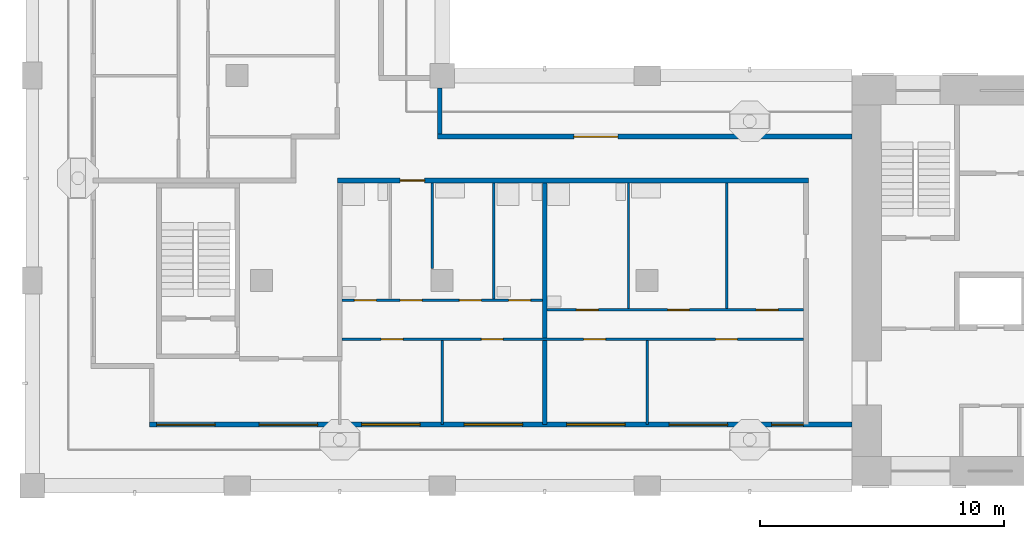
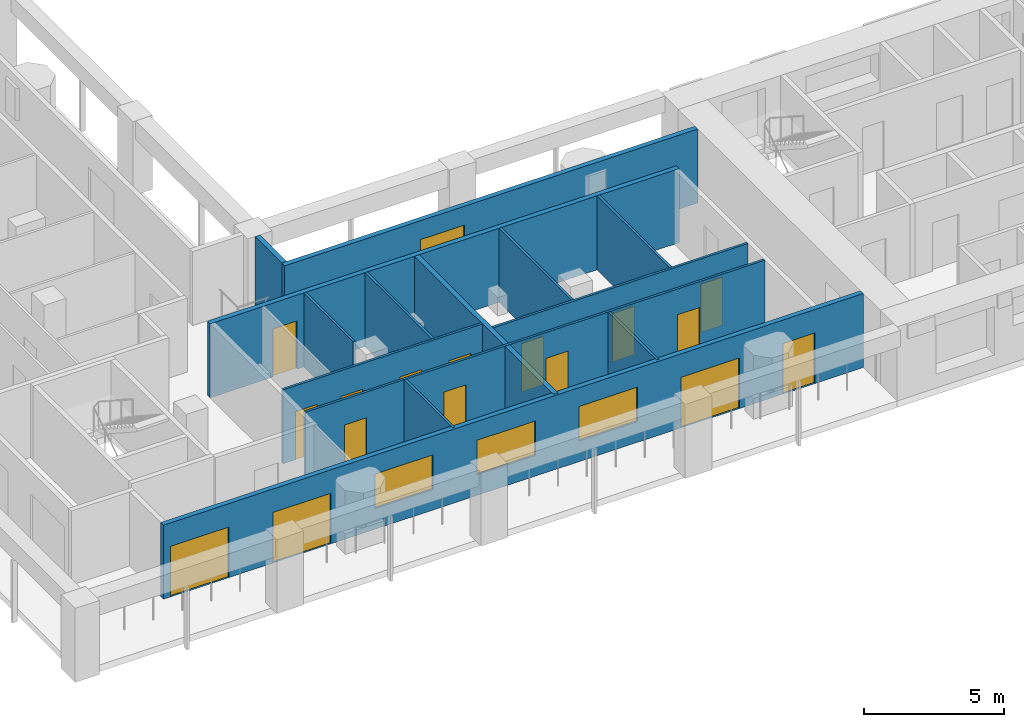
# One storey, part 2 of 12: 17 doors, 14 walls, 3 windows, 20 openings.
"""IFC4 building model written with IfcOpenShell, lengths in metres."""

from ifc_helpers import new_model, si_unit, direction, frame, frame_2d, origin, place, context, subcontext, project, spatial, rectangle, extrude, material, layer, layer_set, type_object, element, fill, save


model = new_model("IFC4")

# Units and contexts
model_context = context("Model", 3, precision=1e-05, world=origin(), true_north=direction((0.0, 1.0)))
body_context = subcontext(model_context, "Body", "Model", "MODEL_VIEW")
ifc_project = project(units=[si_unit("LENGTHUNIT", "METRE"), si_unit("AREAUNIT", "SQUARE_METRE"), si_unit("VOLUMEUNIT", "CUBIC_METRE"), si_unit("PLANEANGLEUNIT", "RADIAN"), si_unit("MASSUNIT", "GRAM", prefix="KILO")], contexts=[model_context])

# Site, building, storey
site_placement = place(None, origin())
site = spatial("IfcSite", under=ifc_project, at=site_placement, CompositionType="ELEMENT")
building_placement = place(site_placement, origin())
building = spatial("IfcBuilding", under=site, at=building_placement, Name="Vermilion Gate Residences", CompositionType="ELEMENT")
storey_placement = place(building_placement, frame((0.0, 0.0, 235.199951171875)))
storey = spatial("IfcBuildingStorey", under=building, at=storey_placement, Name="L61", CompositionType="ELEMENT", Elevation=235.199951171875)

# Wall, openings, doors, windows
ifc_material_1 = material(Name="Insulated steel stud wall with terracotta rainscreen", Category="masonry")
ifc_layer_1 = layer(ifc_material_1, 0.199951171875)
ifc_layer_set_1 = layer_set([ifc_layer_1], Name="EXTERNAL WALL 200 TERRACOTTA RAINSCREEN")
wall_type_1 = type_object("IfcWallType", Name="EXTERNAL WALL 200 TERRACOTTA RAINSCREEN", PredefinedType="SOLIDWALL", material=ifc_layer_set_1)
wall_1_placement = place(storey_placement, frame((13.199951171875, 10.89990234375, 0.0), z_axis=(0.0, 0.0, 1.0), x_axis=(1.0, 0.0, 0.0)))
wall_1 = element("IfcWall", 1, at=wall_1_placement, inside=storey, type_object=wall_type_1, Name="External wall", PredefinedType="SOLIDWALL", context=body_context, shape_type="SweptSolid", body=[
    extrude(rectangle(XDim=28.800048828125, YDim=0.199951171875, at=frame_2d((14.39990234375, 0.0))), origin(), (0.0, 0.0, 1.0), 3.219970703125),
])
opening_1_placement = place(wall_1_placement, frame((0.300048828125, 0.0, 0.0)))
opening_1 = element("IfcOpeningElement", 2, at=opening_1_placement, cuts=wall_1, Name="Opening DE61008", PredefinedType="OPENING", context=body_context, shape_type="SweptSolid", body=[
    extrude(rectangle(XDim=2.39990234375, YDim=2.199951171875, at=frame_2d((1.199951171875, 1.10009765625))), frame((0.0, 0.10986328125, 0.0), z_axis=(0.0, -1.0, 0.0), x_axis=(1.0, 0.0, 0.0)), (0.0, 0.0, 1.0), 0.219970703125),
])
opening_2_placement = place(wall_1_placement, frame((4.5, 0.0, 0.0)))
opening_2 = element("IfcOpeningElement", 3, at=opening_2_placement, cuts=wall_1, Name="Opening DE61009", PredefinedType="OPENING", context=body_context, shape_type="SweptSolid", body=[
    extrude(rectangle(XDim=2.39990234375, YDim=2.199951171875, at=frame_2d((1.199951171875, 1.10009765625))), frame((0.0, 0.10986328125, 0.0), z_axis=(0.0, -1.0, 0.0), x_axis=(1.0, 0.0, 0.0)), (0.0, 0.0, 1.0), 0.219970703125),
])
opening_3_placement = place(wall_1_placement, frame((8.699951171875, 0.0, 0.89990234375)))
opening_3 = element("IfcOpeningElement", 4, at=opening_3_placement, cuts=wall_1, Name="Opening WE61010", PredefinedType="OPENING", context=body_context, shape_type="SweptSolid", body=[
    extrude(rectangle(XDim=2.39990234375, YDim=1.5, at=frame_2d((1.199951171875, 0.75))), frame((0.0, 0.10986328125, 0.0), z_axis=(0.0, -1.0, 0.0), x_axis=(1.0, 0.0, 0.0)), (0.0, 0.0, 1.0), 0.219970703125),
])
opening_4_placement = place(wall_1_placement, frame((12.89990234375, 0.0, 0.89990234375)))
opening_4 = element("IfcOpeningElement", 5, at=opening_4_placement, cuts=wall_1, Name="Opening WE61011", PredefinedType="OPENING", context=body_context, shape_type="SweptSolid", body=[
    extrude(rectangle(XDim=2.39990234375, YDim=1.5, at=frame_2d((1.199951171875, 0.75))), frame((0.0, 0.10986328125, 0.0), z_axis=(0.0, -1.0, 0.0), x_axis=(1.0, 0.0, 0.0)), (0.0, 0.0, 1.0), 0.219970703125),
])
opening_5_placement = place(wall_1_placement, frame((17.10009765625, 0.0, 0.89990234375)))
opening_5 = element("IfcOpeningElement", 6, at=opening_5_placement, cuts=wall_1, Name="Opening WE61012", PredefinedType="OPENING", context=body_context, shape_type="SweptSolid", body=[
    extrude(rectangle(XDim=2.39990234375, YDim=1.5, at=frame_2d((1.199951171875, 0.75))), frame((0.0, 0.10986328125, 0.0), z_axis=(0.0, -1.0, 0.0), x_axis=(1.0, 0.0, 0.0)), (0.0, 0.0, 1.0), 0.219970703125),
])
opening_6_placement = place(wall_1_placement, frame((21.300048828125, 0.0, 0.0)))
opening_6 = element("IfcOpeningElement", 7, at=opening_6_placement, cuts=wall_1, Name="Opening DE61013", PredefinedType="OPENING", context=body_context, shape_type="SweptSolid", body=[
    extrude(rectangle(XDim=2.39990234375, YDim=2.199951171875, at=frame_2d((1.199951171875, 1.10009765625))), frame((0.0, 0.10986328125, 0.0), z_axis=(0.0, -1.0, 0.0), x_axis=(1.0, 0.0, 0.0)), (0.0, 0.0, 1.0), 0.219970703125),
])
opening_7_placement = place(wall_1_placement, frame((25.5, 0.0, 0.0)))
opening_7 = element("IfcOpeningElement", 8, at=opening_7_placement, cuts=wall_1, Name="Opening DE61014", PredefinedType="OPENING", context=body_context, shape_type="SweptSolid", body=[
    extrude(rectangle(XDim=1.300048828125, YDim=2.199951171875, at=frame_2d((0.64990234375, 1.10009765625))), frame((0.0, 0.10986328125, 0.0), z_axis=(0.0, -1.0, 0.0), x_axis=(1.0, 0.0, 0.0)), (0.0, 0.0, 1.0), 0.219970703125),
])
ifc_material_2 = material(Name="Aluminium and clear glass", Category="aluminium")
door_type_1 = type_object("IfcDoorType", Name="SLIDING GLAZED DOOR 1300 X 2200", OperationType="DOUBLE_DOOR_SLIDING", PredefinedType="DOOR", material=ifc_material_2)
door_1_placement = place(opening_7_placement, origin())
door_1 = element("IfcDoor", 9, at=door_1_placement, inside=storey, type_object=door_type_1, Name="Loggia sliding door", OperationType="DOUBLE_DOOR_SLIDING", OverallHeight=2.199951171875, OverallWidth=1.300048828125, PredefinedType="DOOR", context=body_context, shape_type="SweptSolid", body=[
    extrude(rectangle(XDim=1.300048828125, YDim=2.199951171875, at=frame_2d((0.64990234375, 1.10009765625))), frame((0.0, 0.02490234375, 0.0), z_axis=(0.0, -1.0, 0.0), x_axis=(1.0, 0.0, 0.0)), (0.0, 0.0, 1.0), 0.050048828125),
])
fill(opening_7, door_1)
ifc_material_3 = material(Name="Aluminium and clear glass", Category="aluminium")
door_type_2 = type_object("IfcDoorType", Name="SLIDING GLAZED DOOR 2400 X 2200", OperationType="DOUBLE_DOOR_SLIDING", PredefinedType="DOOR", material=ifc_material_3)
door_2_placement = place(opening_1_placement, origin())
door_2 = element("IfcDoor", 10, at=door_2_placement, inside=storey, type_object=door_type_2, Name="Loggia sliding door", OperationType="DOUBLE_DOOR_SLIDING", OverallHeight=2.199951171875, OverallWidth=2.39990234375, PredefinedType="DOOR", context=body_context, shape_type="SweptSolid", body=[
    extrude(rectangle(XDim=2.39990234375, YDim=2.199951171875, at=frame_2d((1.199951171875, 1.10009765625))), frame((0.0, 0.02490234375, 0.0), z_axis=(0.0, -1.0, 0.0), x_axis=(1.0, 0.0, 0.0)), (0.0, 0.0, 1.0), 0.050048828125),
])
fill(opening_1, door_2)
door_3_placement = place(opening_2_placement, origin())
door_3 = element("IfcDoor", 11, at=door_3_placement, inside=storey, type_object=door_type_2, Name="Loggia sliding door", OperationType="DOUBLE_DOOR_SLIDING", OverallHeight=2.199951171875, OverallWidth=2.39990234375, PredefinedType="DOOR", context=body_context, shape_type="SweptSolid", body=[
    extrude(rectangle(XDim=2.39990234375, YDim=2.199951171875, at=frame_2d((1.199951171875, 1.10009765625))), frame((0.0, 0.02490234375, 0.0), z_axis=(0.0, -1.0, 0.0), x_axis=(1.0, 0.0, 0.0)), (0.0, 0.0, 1.0), 0.050048828125),
])
fill(opening_2, door_3)
door_4_placement = place(opening_6_placement, origin())
door_4 = element("IfcDoor", 12, at=door_4_placement, inside=storey, type_object=door_type_2, Name="Loggia sliding door", OperationType="DOUBLE_DOOR_SLIDING", OverallHeight=2.199951171875, OverallWidth=2.39990234375, PredefinedType="DOOR", context=body_context, shape_type="SweptSolid", body=[
    extrude(rectangle(XDim=2.39990234375, YDim=2.199951171875, at=frame_2d((1.199951171875, 1.10009765625))), frame((0.0, 0.02490234375, 0.0), z_axis=(0.0, -1.0, 0.0), x_axis=(1.0, 0.0, 0.0)), (0.0, 0.0, 1.0), 0.050048828125),
])
fill(opening_6, door_4)
ifc_material_4 = material(Name="Aluminium and clear glass", Category="aluminium")
window_type = type_object("IfcWindowType", Name="WINDOW 2400 X 1500", PartitioningType="SINGLE_PANEL", PredefinedType="WINDOW", material=ifc_material_4)
window_1_placement = place(opening_3_placement, origin())
window_1 = element("IfcWindow", 13, at=window_1_placement, inside=storey, type_object=window_type, Name="Window", OverallHeight=1.5, OverallWidth=2.39990234375, PartitioningType="SINGLE_PANEL", PredefinedType="WINDOW", context=body_context, shape_type="SweptSolid", body=[
    extrude(rectangle(XDim=2.39990234375, YDim=1.5, at=frame_2d((1.199951171875, 0.75))), frame((0.0, 0.030029296875, 0.0), z_axis=(0.0, -1.0, 0.0), x_axis=(1.0, 0.0, 0.0)), (0.0, 0.0, 1.0), 0.06005859375),
])
fill(opening_3, window_1)
window_2_placement = place(opening_4_placement, origin())
window_2 = element("IfcWindow", 14, at=window_2_placement, inside=storey, type_object=window_type, Name="Window", OverallHeight=1.5, OverallWidth=2.39990234375, PartitioningType="SINGLE_PANEL", PredefinedType="WINDOW", context=body_context, shape_type="SweptSolid", body=[
    extrude(rectangle(XDim=2.39990234375, YDim=1.5, at=frame_2d((1.199951171875, 0.75))), frame((0.0, 0.030029296875, 0.0), z_axis=(0.0, -1.0, 0.0), x_axis=(1.0, 0.0, 0.0)), (0.0, 0.0, 1.0), 0.06005859375),
])
fill(opening_4, window_2)
window_3_placement = place(opening_5_placement, origin())
window_3 = element("IfcWindow", 15, at=window_3_placement, inside=storey, type_object=window_type, Name="Window", OverallHeight=1.5, OverallWidth=2.39990234375, PartitioningType="SINGLE_PANEL", PredefinedType="WINDOW", context=body_context, shape_type="SweptSolid", body=[
    extrude(rectangle(XDim=2.39990234375, YDim=1.5, at=frame_2d((1.199951171875, 0.75))), frame((0.0, 0.030029296875, 0.0), z_axis=(0.0, -1.0, 0.0), x_axis=(1.0, 0.0, 0.0)), (0.0, 0.0, 1.0), 0.06005859375),
])
fill(opening_5, window_3)

# Wall, opening, door
wall_2_placement = place(storey_placement, frame((42.0, 22.699951171875, 0.0), z_axis=(0.0, 0.0, 1.0), x_axis=(-1.0, 0.0, 0.0)))
wall_2 = element("IfcWall", 16, at=wall_2_placement, inside=storey, type_object=wall_type_1, Name="External wall", PredefinedType="SOLIDWALL", context=body_context, shape_type="SweptSolid", body=[
    extrude(rectangle(XDim=17.0, YDim=0.199951171875, at=frame_2d((8.5, 0.0))), origin(), (0.0, 0.0, 1.0), 3.219970703125),
])
opening_8_placement = place(wall_2_placement, frame((9.60009765625, 0.0, 0.0)))
opening_8 = element("IfcOpeningElement", 17, at=opening_8_placement, cuts=wall_2, Name="Opening DE61015", PredefinedType="OPENING", context=body_context, shape_type="SweptSolid", body=[
    extrude(rectangle(XDim=1.800048828125, YDim=2.39990234375, at=frame_2d((0.89990234375, 1.199951171875))), frame((0.0, 0.10986328125, 0.0), z_axis=(0.0, -1.0, 0.0), x_axis=(1.0, 0.0, 0.0)), (0.0, 0.0, 1.0), 0.219970703125),
])
ifc_material_5 = material(Name="Aluminium and clear glass", Category="aluminium")
door_type_3 = type_object("IfcDoorType", Name="GLAZED EXTERNAL DOOR 1800 X 2400", OperationType="DOUBLE_DOOR_SINGLE_SWING", PredefinedType="DOOR", material=ifc_material_5)
door_5_placement = place(opening_8_placement, frame((1.800048828125, 0.0, 0.0), z_axis=(0.0, 0.0, 1.0), x_axis=(-1.0, 0.0, 0.0)))
door_5 = element("IfcDoor", 18, at=door_5_placement, inside=storey, type_object=door_type_3, Name="Gallery door", OperationType="DOUBLE_DOOR_SINGLE_SWING", OverallHeight=2.39990234375, OverallWidth=1.800048828125, PredefinedType="DOOR", context=body_context, shape_type="SweptSolid", body=[
    extrude(rectangle(XDim=1.800048828125, YDim=2.39990234375, at=frame_2d((0.89990234375, 1.199951171875))), frame((0.0, 0.02490234375, 0.0), z_axis=(0.0, -1.0, 0.0), x_axis=(1.0, 0.0, 0.0)), (0.0, 0.0, 1.0), 0.050048828125),
])
fill(opening_8, door_5)

# Wall
wall_3_placement = place(storey_placement, frame((25.10009765625, 22.800048828125, 0.0), z_axis=(0.0, 0.0, 1.0), x_axis=(0.0, 1.0, 0.0)))
element("IfcWall", 19, at=wall_3_placement, inside=storey, type_object=wall_type_1, Name="External wall", PredefinedType="SOLIDWALL", context=body_context, shape_type="SweptSolid", body=[
    extrude(rectangle(XDim=1.89990234375, YDim=0.199951171875, at=frame_2d((0.949951171875, 0.0))), origin(), (0.0, 0.0, 1.0), 3.219970703125),
])

# Wall, openings, doors
ifc_material_6 = material(Name="Plasterboard on steel studs", Category="steel")
ifc_layer_2 = layer(ifc_material_6, 0.10009765625)
ifc_layer_set_2 = layer_set([ifc_layer_2], Name="PARTITION 100")
wall_type_2 = type_object("IfcWallType", Name="PARTITION 100", PredefinedType="PARTITIONING", material=ifc_layer_set_2)
wall_4_placement = place(storey_placement, frame((21.10009765625, 14.39990234375, 0.0), z_axis=(0.0, 0.0, 1.0), x_axis=(1.0, 0.0, 0.0)))
wall_4 = element("IfcWall", 20, at=wall_4_placement, inside=storey, type_object=wall_type_2, Name="Partition", PredefinedType="PARTITIONING", context=body_context, shape_type="SweptSolid", body=[
    extrude(rectangle(XDim=18.89990234375, YDim=0.10009765625, at=frame_2d((9.449951171875, 0.0))), origin(), (0.0, 0.0, 1.0), 3.219970703125),
])
opening_9_placement = place(wall_4_placement, frame((1.60009765625, 0.0, 0.0)))
opening_9 = element("IfcOpeningElement", 21, at=opening_9_placement, cuts=wall_4, Name="Opening DA61002", PredefinedType="OPENING", context=body_context, shape_type="SweptSolid", body=[
    extrude(rectangle(XDim=0.89990234375, YDim=2.10009765625, at=frame_2d((0.449951171875, 1.050048828125))), frame((0.0, 0.06005859375, 0.0), z_axis=(0.0, -1.0, 0.0), x_axis=(1.0, 0.0, 0.0)), (0.0, 0.0, 1.0), 0.1201171875),
])
opening_10_placement = place(wall_4_placement, frame((5.699951171875, 0.0, 0.0)))
opening_10 = element("IfcOpeningElement", 22, at=opening_10_placement, cuts=wall_4, Name="Opening DA61003", PredefinedType="OPENING", context=body_context, shape_type="SweptSolid", body=[
    extrude(rectangle(XDim=0.89990234375, YDim=2.10009765625, at=frame_2d((0.449951171875, 1.050048828125))), frame((0.0, 0.06005859375, 0.0), z_axis=(0.0, -1.0, 0.0), x_axis=(1.0, 0.0, 0.0)), (0.0, 0.0, 1.0), 0.1201171875),
])
opening_11_placement = place(wall_4_placement, frame((9.89990234375, 0.0, 0.0)))
opening_11 = element("IfcOpeningElement", 23, at=opening_11_placement, cuts=wall_4, Name="Opening DA61004", PredefinedType="OPENING", context=body_context, shape_type="SweptSolid", body=[
    extrude(rectangle(XDim=0.89990234375, YDim=2.10009765625, at=frame_2d((0.449951171875, 1.050048828125))), frame((0.0, 0.06005859375, 0.0), z_axis=(0.0, -1.0, 0.0), x_axis=(1.0, 0.0, 0.0)), (0.0, 0.0, 1.0), 0.1201171875),
])
opening_12_placement = place(wall_4_placement, frame((15.300048828125, 0.0, 0.0)))
opening_12 = element("IfcOpeningElement", 24, at=opening_12_placement, cuts=wall_4, Name="Opening DA61005", PredefinedType="OPENING", context=body_context, shape_type="SweptSolid", body=[
    extrude(rectangle(XDim=0.89990234375, YDim=2.10009765625, at=frame_2d((0.449951171875, 1.050048828125))), frame((0.0, 0.06005859375, 0.0), z_axis=(0.0, -1.0, 0.0), x_axis=(1.0, 0.0, 0.0)), (0.0, 0.0, 1.0), 0.1201171875),
])
ifc_material_7 = material(Name="Timber", Category="wood")
door_type_4 = type_object("IfcDoorType", Name="INTERIOR DOOR 900 X 2100", OperationType="SINGLE_SWING_LEFT", PredefinedType="DOOR", material=ifc_material_7)
door_6_placement = place(opening_9_placement, frame((0.89990234375, 0.0, 0.0), z_axis=(0.0, 0.0, 1.0), x_axis=(-1.0, 0.0, 0.0)))
door_6 = element("IfcDoor", 25, at=door_6_placement, inside=storey, type_object=door_type_4, Name="Interior door", OperationType="SINGLE_SWING_LEFT", OverallHeight=2.10009765625, OverallWidth=0.89990234375, PredefinedType="DOOR", context=body_context, shape_type="SweptSolid", body=[
    extrude(rectangle(XDim=0.89990234375, YDim=2.10009765625, at=frame_2d((0.449951171875, 1.050048828125))), frame((0.0, 0.02490234375, 0.0), z_axis=(0.0, -1.0, 0.0), x_axis=(1.0, 0.0, 0.0)), (0.0, 0.0, 1.0), 0.050048828125),
])
fill(opening_9, door_6)
door_7_placement = place(opening_10_placement, frame((0.89990234375, 0.0, 0.0), z_axis=(0.0, 0.0, 1.0), x_axis=(-1.0, 0.0, 0.0)))
door_7 = element("IfcDoor", 26, at=door_7_placement, inside=storey, type_object=door_type_4, Name="Interior door", OperationType="SINGLE_SWING_RIGHT", OverallHeight=2.10009765625, OverallWidth=0.89990234375, PredefinedType="DOOR", context=body_context, shape_type="SweptSolid", body=[
    extrude(rectangle(XDim=0.89990234375, YDim=2.10009765625, at=frame_2d((0.449951171875, 1.050048828125))), frame((0.0, 0.02490234375, 0.0), z_axis=(0.0, -1.0, 0.0), x_axis=(1.0, 0.0, 0.0)), (0.0, 0.0, 1.0), 0.050048828125),
])
fill(opening_10, door_7)
door_8_placement = place(opening_11_placement, frame((0.89990234375, 0.0, 0.0), z_axis=(0.0, 0.0, 1.0), x_axis=(-1.0, 0.0, 0.0)))
door_8 = element("IfcDoor", 27, at=door_8_placement, inside=storey, type_object=door_type_4, Name="Interior door", OperationType="SINGLE_SWING_RIGHT", OverallHeight=2.10009765625, OverallWidth=0.89990234375, PredefinedType="DOOR", context=body_context, shape_type="SweptSolid", body=[
    extrude(rectangle(XDim=0.89990234375, YDim=2.10009765625, at=frame_2d((0.449951171875, 1.050048828125))), frame((0.0, 0.02490234375, 0.0), z_axis=(0.0, -1.0, 0.0), x_axis=(1.0, 0.0, 0.0)), (0.0, 0.0, 1.0), 0.050048828125),
])
fill(opening_11, door_8)
door_9_placement = place(opening_12_placement, frame((0.89990234375, 0.0, 0.0), z_axis=(0.0, 0.0, 1.0), x_axis=(-1.0, 0.0, 0.0)))
door_9 = element("IfcDoor", 28, at=door_9_placement, inside=storey, type_object=door_type_4, Name="Interior door", OperationType="SINGLE_SWING_LEFT", OverallHeight=2.10009765625, OverallWidth=0.89990234375, PredefinedType="DOOR", context=body_context, shape_type="SweptSolid", body=[
    extrude(rectangle(XDim=0.89990234375, YDim=2.10009765625, at=frame_2d((0.449951171875, 1.050048828125))), frame((0.0, 0.02490234375, 0.0), z_axis=(0.0, -1.0, 0.0), x_axis=(1.0, 0.0, 0.0)), (0.0, 0.0, 1.0), 0.050048828125),
])
fill(opening_12, door_9)

wall_5_placement = place(storey_placement, frame((29.5, 15.60009765625, 0.0), z_axis=(0.0, 0.0, 1.0), x_axis=(1.0, 0.0, 0.0)))
wall_5 = element("IfcWall", 29, at=wall_5_placement, inside=storey, type_object=wall_type_2, Name="Partition", PredefinedType="PARTITIONING", context=body_context, shape_type="SweptSolid", body=[
    extrude(rectangle(XDim=10.5, YDim=0.10009765625, at=frame_2d((5.25, 0.0))), origin(), (0.0, 0.0, 1.0), 3.219970703125),
])
opening_13_placement = place(wall_5_placement, frame((8.56689453125, 0.0, 0.0)))
opening_13 = element("IfcOpeningElement", 30, at=opening_13_placement, cuts=wall_5, Name="Opening DA61006", PredefinedType="OPENING", context=body_context, shape_type="SweptSolid", body=[
    extrude(rectangle(XDim=0.89990234375, YDim=2.10009765625, at=frame_2d((0.449951171875, 1.050048828125))), frame((0.0, 0.06005859375, 0.0), z_axis=(0.0, -1.0, 0.0), x_axis=(1.0, 0.0, 0.0)), (0.0, 0.0, 1.0), 0.1201171875),
])
opening_14_placement = place(wall_5_placement, frame((1.199951171875, 0.0, 0.0)))
opening_14 = element("IfcOpeningElement", 31, at=opening_14_placement, cuts=wall_5, Name="Opening DA61007", PredefinedType="OPENING", context=body_context, shape_type="SweptSolid", body=[
    extrude(rectangle(XDim=0.89990234375, YDim=2.10009765625, at=frame_2d((0.449951171875, 1.050048828125))), frame((0.0, 0.06005859375, 0.0), z_axis=(0.0, -1.0, 0.0), x_axis=(1.0, 0.0, 0.0)), (0.0, 0.0, 1.0), 0.1201171875),
])
opening_15_placement = place(wall_5_placement, frame((4.93310546875, 0.0, 0.0)))
opening_15 = element("IfcOpeningElement", 32, at=opening_15_placement, cuts=wall_5, Name="Opening DA61008", PredefinedType="OPENING", context=body_context, shape_type="SweptSolid", body=[
    extrude(rectangle(XDim=0.89990234375, YDim=2.10009765625, at=frame_2d((0.449951171875, 1.050048828125))), frame((0.0, 0.06005859375, 0.0), z_axis=(0.0, -1.0, 0.0), x_axis=(1.0, 0.0, 0.0)), (0.0, 0.0, 1.0), 0.1201171875),
])
door_10_placement = place(opening_13_placement, frame((0.89990234375, 0.0, 0.0), z_axis=(0.0, 0.0, 1.0), x_axis=(-1.0, 0.0, 0.0)))
door_10 = element("IfcDoor", 33, at=door_10_placement, inside=storey, type_object=door_type_4, Name="Interior door", OperationType="SINGLE_SWING_LEFT", OverallHeight=2.10009765625, OverallWidth=0.89990234375, PredefinedType="DOOR", context=body_context, shape_type="SweptSolid", body=[
    extrude(rectangle(XDim=0.89990234375, YDim=2.10009765625, at=frame_2d((0.449951171875, 1.050048828125))), frame((0.0, 0.02490234375, 0.0), z_axis=(0.0, -1.0, 0.0), x_axis=(1.0, 0.0, 0.0)), (0.0, 0.0, 1.0), 0.050048828125),
])
fill(opening_13, door_10)
door_11_placement = place(opening_14_placement, origin())
door_11 = element("IfcDoor", 34, at=door_11_placement, inside=storey, type_object=door_type_4, Name="Interior door", OperationType="SINGLE_SWING_LEFT", OverallHeight=2.10009765625, OverallWidth=0.89990234375, PredefinedType="DOOR", context=body_context, shape_type="SweptSolid", body=[
    extrude(rectangle(XDim=0.89990234375, YDim=2.10009765625, at=frame_2d((0.449951171875, 1.050048828125))), frame((0.0, 0.02490234375, 0.0), z_axis=(0.0, -1.0, 0.0), x_axis=(1.0, 0.0, 0.0)), (0.0, 0.0, 1.0), 0.050048828125),
])
fill(opening_14, door_11)
door_12_placement = place(opening_15_placement, origin())
door_12 = element("IfcDoor", 35, at=door_12_placement, inside=storey, type_object=door_type_4, Name="Interior door", OperationType="SINGLE_SWING_RIGHT", OverallHeight=2.10009765625, OverallWidth=0.89990234375, PredefinedType="DOOR", context=body_context, shape_type="SweptSolid", body=[
    extrude(rectangle(XDim=0.89990234375, YDim=2.10009765625, at=frame_2d((0.449951171875, 1.050048828125))), frame((0.0, 0.02490234375, 0.0), z_axis=(0.0, -1.0, 0.0), x_axis=(1.0, 0.0, 0.0)), (0.0, 0.0, 1.0), 0.050048828125),
])
fill(opening_15, door_12)

wall_6_placement = place(storey_placement, frame((21.10009765625, 16.0, 0.0), z_axis=(0.0, 0.0, 1.0), x_axis=(1.0, 0.0, 0.0)))
wall_6 = element("IfcWall", 36, at=wall_6_placement, inside=storey, type_object=wall_type_2, Name="Partition", PredefinedType="PARTITIONING", context=body_context, shape_type="SweptSolid", body=[
    extrude(rectangle(XDim=8.199951171875, YDim=0.10009765625, at=frame_2d((4.10009765625, 0.0))), origin(), (0.0, 0.0, 1.0), 3.219970703125),
])
opening_16_placement = place(wall_6_placement, frame((2.3798828125, 0.0, 0.0)))
opening_16 = element("IfcOpeningElement", 37, at=opening_16_placement, cuts=wall_6, Name="Opening DA61009", PredefinedType="OPENING", context=body_context, shape_type="SweptSolid", body=[
    extrude(rectangle(XDim=0.89990234375, YDim=2.10009765625, at=frame_2d((0.449951171875, 1.050048828125))), frame((0.0, 0.06005859375, 0.0), z_axis=(0.0, -1.0, 0.0), x_axis=(1.0, 0.0, 0.0)), (0.0, 0.0, 1.0), 0.1201171875),
])
opening_17_placement = place(wall_6_placement, frame((0.5, 0.0, 0.0)))
opening_17 = element("IfcOpeningElement", 38, at=opening_17_placement, cuts=wall_6, Name="Opening DA61010", PredefinedType="OPENING", context=body_context, shape_type="SweptSolid", body=[
    extrude(rectangle(XDim=0.89990234375, YDim=2.10009765625, at=frame_2d((0.449951171875, 1.050048828125))), frame((0.0, 0.06005859375, 0.0), z_axis=(0.0, -1.0, 0.0), x_axis=(1.0, 0.0, 0.0)), (0.0, 0.0, 1.0), 0.1201171875),
])
opening_18_placement = place(wall_6_placement, frame((4.800048828125, 0.0, 0.0)))
opening_18 = element("IfcOpeningElement", 39, at=opening_18_placement, cuts=wall_6, Name="Opening DA61011", PredefinedType="OPENING", context=body_context, shape_type="SweptSolid", body=[
    extrude(rectangle(XDim=0.89990234375, YDim=2.10009765625, at=frame_2d((0.449951171875, 1.050048828125))), frame((0.0, 0.06005859375, 0.0), z_axis=(0.0, -1.0, 0.0), x_axis=(1.0, 0.0, 0.0)), (0.0, 0.0, 1.0), 0.1201171875),
])
opening_19_placement = place(wall_6_placement, frame((6.820068359375, 0.0, 0.0)))
opening_19 = element("IfcOpeningElement", 40, at=opening_19_placement, cuts=wall_6, Name="Opening DA61012", PredefinedType="OPENING", context=body_context, shape_type="SweptSolid", body=[
    extrude(rectangle(XDim=0.89990234375, YDim=2.10009765625, at=frame_2d((0.449951171875, 1.050048828125))), frame((0.0, 0.06005859375, 0.0), z_axis=(0.0, -1.0, 0.0), x_axis=(1.0, 0.0, 0.0)), (0.0, 0.0, 1.0), 0.1201171875),
])
door_13_placement = place(opening_16_placement, origin())
door_13 = element("IfcDoor", 41, at=door_13_placement, inside=storey, type_object=door_type_4, Name="Interior door", OperationType="SINGLE_SWING_LEFT", OverallHeight=2.10009765625, OverallWidth=0.89990234375, PredefinedType="DOOR", context=body_context, shape_type="SweptSolid", body=[
    extrude(rectangle(XDim=0.89990234375, YDim=2.10009765625, at=frame_2d((0.449951171875, 1.050048828125))), frame((0.0, 0.02490234375, 0.0), z_axis=(0.0, -1.0, 0.0), x_axis=(1.0, 0.0, 0.0)), (0.0, 0.0, 1.0), 0.050048828125),
])
fill(opening_16, door_13)
door_14_placement = place(opening_17_placement, origin())
door_14 = element("IfcDoor", 42, at=door_14_placement, inside=storey, type_object=door_type_4, Name="Interior door", OperationType="SINGLE_SWING_RIGHT", OverallHeight=2.10009765625, OverallWidth=0.89990234375, PredefinedType="DOOR", context=body_context, shape_type="SweptSolid", body=[
    extrude(rectangle(XDim=0.89990234375, YDim=2.10009765625, at=frame_2d((0.449951171875, 1.050048828125))), frame((0.0, 0.02490234375, 0.0), z_axis=(0.0, -1.0, 0.0), x_axis=(1.0, 0.0, 0.0)), (0.0, 0.0, 1.0), 0.050048828125),
])
fill(opening_17, door_14)
door_15_placement = place(opening_18_placement, origin())
door_15 = element("IfcDoor", 43, at=door_15_placement, inside=storey, type_object=door_type_4, Name="Interior door", OperationType="SINGLE_SWING_RIGHT", OverallHeight=2.10009765625, OverallWidth=0.89990234375, PredefinedType="DOOR", context=body_context, shape_type="SweptSolid", body=[
    extrude(rectangle(XDim=0.89990234375, YDim=2.10009765625, at=frame_2d((0.449951171875, 1.050048828125))), frame((0.0, 0.02490234375, 0.0), z_axis=(0.0, -1.0, 0.0), x_axis=(1.0, 0.0, 0.0)), (0.0, 0.0, 1.0), 0.050048828125),
])
fill(opening_18, door_15)
door_16_placement = place(opening_19_placement, origin())
door_16 = element("IfcDoor", 44, at=door_16_placement, inside=storey, type_object=door_type_4, Name="Interior door", OperationType="SINGLE_SWING_RIGHT", OverallHeight=2.10009765625, OverallWidth=0.89990234375, PredefinedType="DOOR", context=body_context, shape_type="SweptSolid", body=[
    extrude(rectangle(XDim=0.89990234375, YDim=2.10009765625, at=frame_2d((0.449951171875, 1.050048828125))), frame((0.0, 0.02490234375, 0.0), z_axis=(0.0, -1.0, 0.0), x_axis=(1.0, 0.0, 0.0)), (0.0, 0.0, 1.0), 0.050048828125),
])
fill(opening_19, door_16)

# Walls
wall_7_placement = place(storey_placement, frame((24.800048828125, 17.300048828125, 0.0), z_axis=(0.0, 0.0, 1.0), x_axis=(0.0, 1.0, 0.0)))
element("IfcWall", 45, at=wall_7_placement, inside=storey, type_object=wall_type_2, Name="Partition", PredefinedType="PARTITIONING", context=body_context, shape_type="SweptSolid", body=[
    extrude(rectangle(XDim=3.5, YDim=0.10009765625, at=frame_2d((1.75, 0.0))), origin(), (0.0, 0.0, 1.0), 3.219970703125),
])
wall_8_placement = place(storey_placement, frame((25.199951171875, 10.89990234375, 0.0), z_axis=(0.0, 0.0, 1.0), x_axis=(0.0, 1.0, 0.0)))
element("IfcWall", 46, at=wall_8_placement, inside=storey, type_object=wall_type_2, Name="Partition", PredefinedType="PARTITIONING", context=body_context, shape_type="SweptSolid", body=[
    extrude(rectangle(XDim=3.4501953125, YDim=0.10009765625, at=frame_2d((1.72509765625, 0.0))), origin(), (0.0, 0.0, 1.0), 3.219970703125),
])
wall_9_placement = place(storey_placement, frame((27.320068359375, 16.050048828125, 0.0), z_axis=(0.0, 0.0, 1.0), x_axis=(0.0, 1.0, 0.0)))
element("IfcWall", 47, at=wall_9_placement, inside=storey, type_object=wall_type_2, Name="Partition", PredefinedType="PARTITIONING", context=body_context, shape_type="SweptSolid", body=[
    extrude(rectangle(XDim=4.75, YDim=0.10009765625, at=frame_2d((2.375, 0.0))), origin(), (0.0, 0.0, 1.0), 3.219970703125),
])
wall_10_placement = place(storey_placement, frame((32.8330078125, 15.64990234375, 0.0), z_axis=(0.0, 0.0, 1.0), x_axis=(0.0, 1.0, 0.0)))
element("IfcWall", 48, at=wall_10_placement, inside=storey, type_object=wall_type_2, Name="Partition", PredefinedType="PARTITIONING", context=body_context, shape_type="SweptSolid", body=[
    extrude(rectangle(XDim=5.150146484375, YDim=0.10009765625, at=frame_2d((2.5751953125, 0.0))), origin(), (0.0, 0.0, 1.0), 3.219970703125),
])
wall_11_placement = place(storey_placement, frame((33.60009765625, 10.89990234375, 0.0), z_axis=(0.0, 0.0, 1.0), x_axis=(0.0, 1.0, 0.0)))
element("IfcWall", 49, at=wall_11_placement, inside=storey, type_object=wall_type_2, Name="Partition", PredefinedType="PARTITIONING", context=body_context, shape_type="SweptSolid", body=[
    extrude(rectangle(XDim=3.4501953125, YDim=0.10009765625, at=frame_2d((1.72509765625, 0.0))), origin(), (0.0, 0.0, 1.0), 3.219970703125),
])
wall_12_placement = place(storey_placement, frame((36.866943359375, 15.64990234375, 0.0), z_axis=(0.0, 0.0, 1.0), x_axis=(0.0, 1.0, 0.0)))
element("IfcWall", 50, at=wall_12_placement, inside=storey, type_object=wall_type_2, Name="Partition", PredefinedType="PARTITIONING", context=body_context, shape_type="SweptSolid", body=[
    extrude(rectangle(XDim=5.150146484375, YDim=0.10009765625, at=frame_2d((2.5751953125, 0.0))), origin(), (0.0, 0.0, 1.0), 3.219970703125),
])

# Wall, opening, door
ifc_material_8 = material(Name="Fire-rated plasterboard on steel studs", Category="steel")
ifc_layer_3 = layer(ifc_material_8, 0.199951171875)
ifc_layer_set_3 = layer_set([ifc_layer_3], Name="PARTY WALL 200 EI 120")
wall_type_3 = type_object("IfcWallType", Name="PARTY WALL 200 EI 120", PredefinedType="PARTITIONING", material=ifc_layer_set_3)
wall_13_placement = place(storey_placement, frame((20.89990234375, 20.89990234375, 0.0), z_axis=(0.0, 0.0, 1.0), x_axis=(1.0, 0.0, 0.0)))
wall_13 = element("IfcWall", 51, at=wall_13_placement, inside=storey, type_object=wall_type_3, Name="Party and corridor wall", PredefinedType="PARTITIONING", context=body_context, shape_type="SweptSolid", body=[
    extrude(rectangle(XDim=19.300048828125, YDim=0.199951171875, at=frame_2d((9.64990234375, 0.0))), origin(), (0.0, 0.0, 1.0), 3.219970703125),
])
opening_20_placement = place(wall_13_placement, frame((2.580078125, 0.0, 0.0)))
opening_20 = element("IfcOpeningElement", 52, at=opening_20_placement, cuts=wall_13, Name="Opening DA61013", PredefinedType="OPENING", context=body_context, shape_type="SweptSolid", body=[
    extrude(rectangle(XDim=1.0, YDim=2.10009765625, at=frame_2d((0.5, 1.050048828125))), frame((0.0, 0.10986328125, 0.0), z_axis=(0.0, -1.0, 0.0), x_axis=(1.0, 0.0, 0.0)), (0.0, 0.0, 1.0), 0.219970703125),
])
ifc_material_9 = material(Name="Steel", Category="steel")
door_type_5 = type_object("IfcDoorType", Name="ENTRANCE DOOR 1000 X 2100 FD30", OperationType="SINGLE_SWING_LEFT", PredefinedType="DOOR", material=ifc_material_9)
door_17_placement = place(opening_20_placement, frame((1.0, 0.0, 0.0), z_axis=(0.0, 0.0, 1.0), x_axis=(-1.0, 0.0, 0.0)))
door_17 = element("IfcDoor", 53, at=door_17_placement, inside=storey, type_object=door_type_5, Name="Entrance door", OperationType="SINGLE_SWING_LEFT", OverallHeight=2.10009765625, OverallWidth=1.0, PredefinedType="DOOR", context=body_context, shape_type="SweptSolid", body=[
    extrude(rectangle(XDim=1.0, YDim=2.10009765625, at=frame_2d((0.5, 1.050048828125))), frame((0.0, 0.02490234375, 0.0), z_axis=(0.0, -1.0, 0.0), x_axis=(1.0, 0.0, 0.0)), (0.0, 0.0, 1.0), 0.050048828125),
])
fill(opening_20, door_17)

# Wall
wall_14_placement = place(storey_placement, frame((29.39990234375, 10.89990234375, 0.0), z_axis=(0.0, 0.0, 1.0), x_axis=(0.0, 1.0, 0.0)))
element("IfcWall", 54, at=wall_14_placement, inside=storey, type_object=wall_type_3, Name="Party and corridor wall", PredefinedType="PARTITIONING", context=body_context, shape_type="SweptSolid", body=[
    extrude(rectangle(XDim=9.900146484375, YDim=0.199951171875, at=frame_2d((4.9501953125, 0.0))), origin(), (0.0, 0.0, 1.0), 3.219970703125),
])

save(model, "model.ifc")
